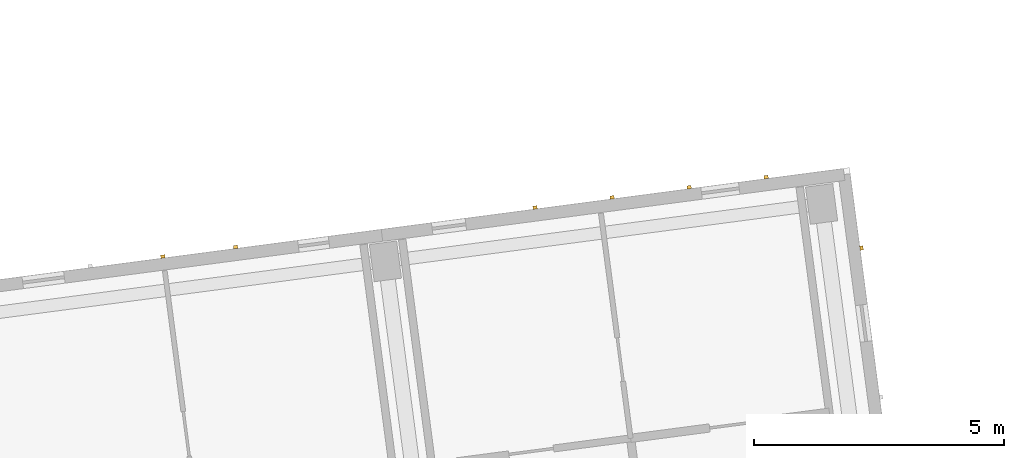
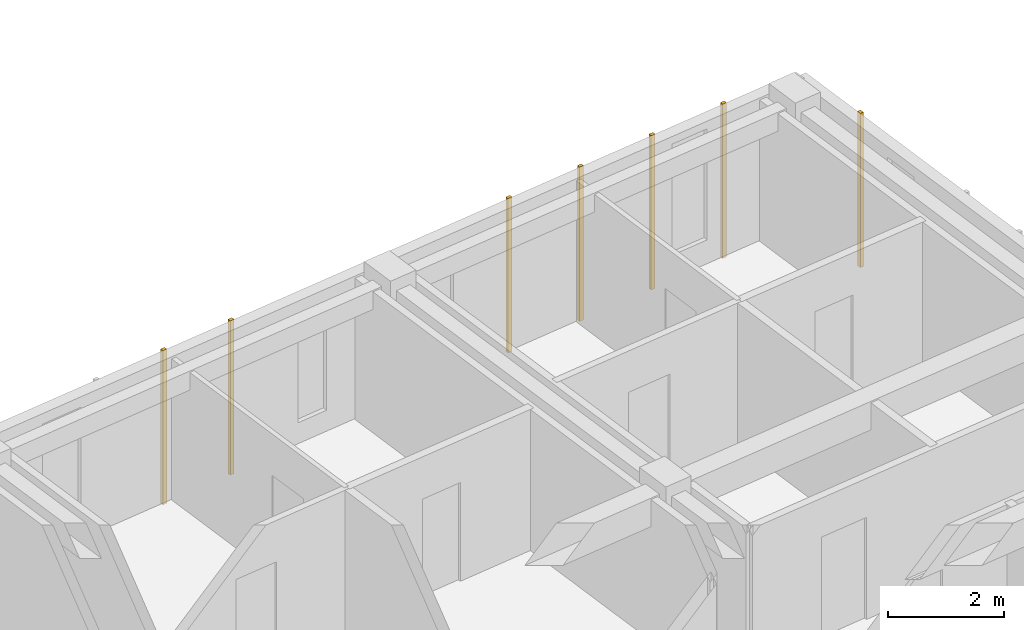
# One storey, part 60 of 68: 7 coverings.
"""IFC4 building model written with IfcOpenShell, lengths in metres."""

from ifc_helpers import new_model, si_unit, direction, frame, origin, origin_2d, place, context, subcontext, project, spatial, rectangle, extrude, material, layer, layer_set, type_object, element, save


model = new_model("IFC4")

# Units and contexts
model_context = context("Model", 3, precision=1e-05, world=origin(), true_north=direction((0.0, 1.0)))
body_context = subcontext(model_context, "Body", "Model", "MODEL_VIEW")
ifc_project = project(units=[si_unit("LENGTHUNIT", "METRE"), si_unit("AREAUNIT", "SQUARE_METRE"), si_unit("VOLUMEUNIT", "CUBIC_METRE"), si_unit("PLANEANGLEUNIT", "RADIAN"), si_unit("MASSUNIT", "GRAM", prefix="KILO")], contexts=[model_context])

# Site, building, storey
site_placement = place(None, origin())
site = spatial("IfcSite", under=ifc_project, at=site_placement, CompositionType="ELEMENT")
building_placement = place(site_placement, origin())
building = spatial("IfcBuilding", under=site, at=building_placement, Name="Kestramere Prow Commons", CompositionType="ELEMENT")
storey_placement = place(building_placement, frame((0.0, 0.0, 18.14990234375)))
storey = spatial("IfcBuildingStorey", under=building, at=storey_placement, Name="L05", CompositionType="ELEMENT", Elevation=18.14990234375)

# Coverings
ifc_material = material(Name="Weathered Zinc-Titanium Standing-Seam Cladding")
ifc_layer = layer(ifc_material, 0.074951171875)
ifc_layer_set = layer_set([ifc_layer], Name="Weathered Zinc-Titanium Standing-Seam Cladding")
covering_type = type_object("IfcCoveringType", Name="COV-CLAD-SEAM", PredefinedType="CLADDING", material=ifc_layer_set)
for number, where, z_axis, x_axis, name in (
    (1, (47.76220703125, 97.66943359375, -0.25), (0.0, 0.0, 1.0), (0.991444861374, 0.13052619222, 0.0), "EW-A-L05-N-4 Standing-Seam Rib 3"),
    (2, (49.21630859375, 97.86083984375, -0.25), (0.0, 0.0, 1.0), (0.991444861374, 0.13052619222, 0.0), "EW-A-L05-N-4 Standing-Seam Rib 4"),
    (3, (55.206298828125, 98.6494140625, -0.25), (0.0, 0.0, 1.0), (0.991444861374, 0.13052619222, 0.0), "EW-A-L05-N-5 Standing-Seam Rib 2"),
    (4, (56.747314453125, 98.852294921875, -0.25), (0.0, 0.0, 1.0), (0.991444861374, 0.13052619222, 0.0), "EW-A-L05-N-5 Standing-Seam Rib 3"),
    (5, (58.2880859375, 99.05517578125, -0.25), (0.0, 0.0, 1.0), (0.991444861374, 0.13052619222, 0.0), "EW-A-L05-N-5 Standing-Seam Rib 4"),
    (6, (59.828857421875, 99.258056640625, -0.25), (0.0, 0.0, 1.0), (0.991444861374, 0.13052619222, 0.0), "EW-A-L05-N-5 Standing-Seam Rib 5"),
    (7, (61.7373046875, 97.8388671875, -0.25), (0.0, 0.0, 1.0), (0.13052619222, -0.991444861374, 0.0), "EW-A-L05-EAV Standing-Seam Rib 1"),
):
    element("IfcCovering", number, at=place(storey_placement, frame(where, z_axis=z_axis, x_axis=x_axis)), inside=storey, type_object=covering_type, Name=name, PredefinedType="CLADDING", context=body_context, shape_type="SweptSolid", body=[
        extrude(rectangle(XDim=0.0849609375, YDim=0.06494140625, at=origin_2d()), origin(), (0.0, 0.0, 1.0), 3.25),
    ])

save(model, "model.ifc")
